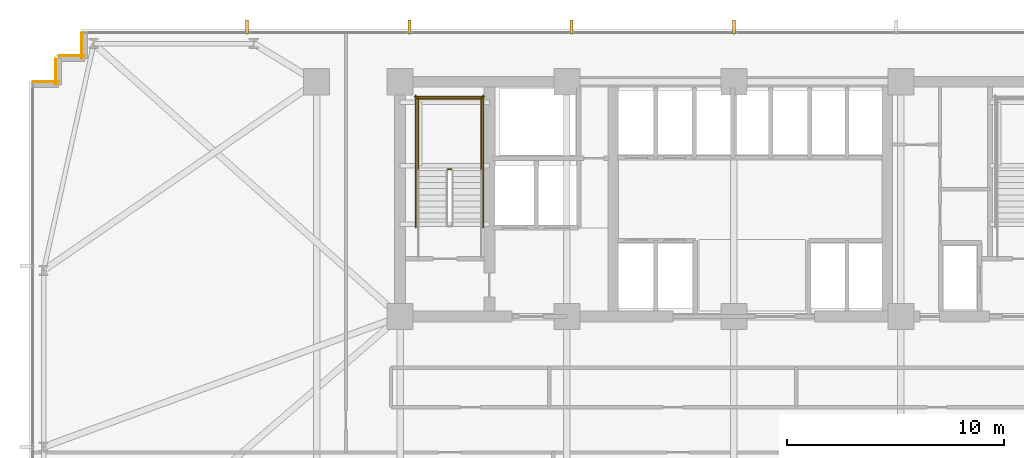
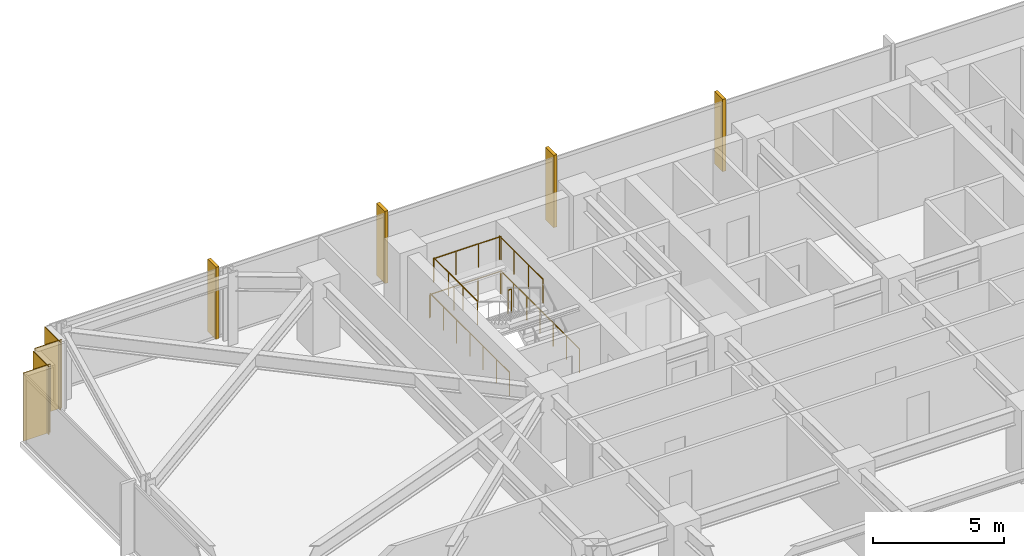
# One storey, part 31 of 33: 7 railings, 4 coverings, 4 shading devices.
"""IFC4 building model written with IfcOpenShell, lengths in metres."""

from ifc_helpers import new_model, si_unit, direction, frame, frame_2d, origin, origin_2d, place, context, subcontext, project, spatial, rectangle, circle, extrude, material, layer, layer_set, type_object, element, save


model = new_model("IFC4")

# Units and contexts
model_context = context("Model", 3, precision=1e-05, world=origin(), true_north=direction((0.0, 1.0)))
body_context = subcontext(model_context, "Body", "Model", "MODEL_VIEW")
ifc_project = project(units=[si_unit("LENGTHUNIT", "METRE"), si_unit("AREAUNIT", "SQUARE_METRE"), si_unit("VOLUMEUNIT", "CUBIC_METRE"), si_unit("PLANEANGLEUNIT", "RADIAN"), si_unit("MASSUNIT", "GRAM", prefix="KILO")], contexts=[model_context])

# Site, building, storey
site_placement = place(None, origin())
site = spatial("IfcSite", under=ifc_project, at=site_placement, CompositionType="ELEMENT")
building_placement = place(site_placement, origin())
building = spatial("IfcBuilding", under=site, at=building_placement, Name="Yelkora Congress Tower", CompositionType="ELEMENT")
storey_placement = place(building_placement, frame((0.0, 0.0, 64.39990234375)))
storey = spatial("IfcBuildingStorey", under=building, at=storey_placement, Name="L16", CompositionType="ELEMENT", Elevation=64.39990234375)

# Coverings
ifc_material_1 = material(Name="Anatolian bush-hammered limestone", Category="masonry")
ifc_layer_1 = layer(ifc_material_1, 0.0400390625)
ifc_layer_set_1 = layer_set([ifc_layer_1], Name="Anatolian bush-hammered limestone")
covering_type = type_object("IfcCoveringType", Name="COV-CLAD-SPANDREL-40", PredefinedType="CLADDING", material=ifc_layer_set_1)
covering_placement = place(storey_placement, frame((6.139892578125, 46.195068359375, 0.0), z_axis=(0.0, 0.0, 1.0), x_axis=(1.0, 0.0, 0.0)))
element("IfcCovering", 1, at=covering_placement, inside=storey, type_object=covering_type, Name="L16 Anatolian Limestone Cladding EW-L16-SR06", PredefinedType="CLADDING", context=body_context, shape_type="SweptSolid", body=[
    extrude(rectangle(XDim=1.2001953125, YDim=0.0400390625, at=frame_2d((0.60009765625, 0.0))), origin(), (0.0, 0.0, 1.0), 3.18017578125),
])
for number, where, z_axis, x_axis, name in (
    (2, (7.205078125, 46.06005859375, 0.0), (0.0, 0.0, 1.0), (0.0, 1.0, 0.0), "L16 Anatolian Limestone Cladding EW-L16-SR07"),
    (3, (7.340087890625, 47.39501953125, 0.0), (0.0, 0.0, 1.0), (1.0, 0.0, 0.0), "L16 Anatolian Limestone Cladding EW-L16-SR08"),
    (4, (8.405029296875, 47.260009765625, 0.0), (0.0, 0.0, 1.0), (0.0, 1.0, 0.0), "L16 Anatolian Limestone Cladding EW-L16-SR09"),
):
    element("IfcCovering", number, at=place(storey_placement, frame(where, z_axis=z_axis, x_axis=x_axis)), inside=storey, type_object=covering_type, Name=name, PredefinedType="CLADDING", context=body_context, shape_type="SweptSolid", body=[
        extrude(rectangle(XDim=1.199951171875, YDim=0.0400390625, at=frame_2d((0.60009765625, 0.0))), origin(), (0.0, 0.0, 1.0), 3.18017578125),
    ])

# Railings
ifc_material_2 = material(Name="Painted galvanised steel stair well guard with vertical infill", Category="steel")
ifc_layer_2 = layer(ifc_material_2, 0.06005859375)
ifc_layer_set_2 = layer_set([ifc_layer_2], Name="Painted galvanised steel stair well guard with vertical infill")
railing_type = type_object("IfcRailingType", Name="RAIL-STAIR-GUARD-1120", PredefinedType="GUARDRAIL", material=ifc_layer_set_2)
railing_1_placement = place(storey_placement, frame((25.39990234375, 42.169921875, 1.7001953125)))
element("IfcRailing", 5, at=railing_1_placement, inside=storey, type_object=railing_type, Name="ST-01 L16 Stair Well Guardrail 2", PredefinedType="GUARDRAIL", context=body_context, shape_type="SweptSolid", body=[
    extrude(circle(Radius=0.02392578125, at=origin_2d()), frame((0.0, 0.0, 1.09619140625), z_axis=(-1.0, 0.0, 0.0), x_axis=(0.0, -1.0, 0.0)), (0.0, 0.0, 1.0), 0.159912109375),
    extrude(circle(Radius=0.02099609375, at=origin_2d()), origin(), (0.0, 0.0, 1.0), 1.072021484375),
    extrude(circle(Radius=0.02099609375, at=origin_2d()), frame((-0.159912109375, 0.0, 0.0)), (0.0, 0.0, 1.0), 1.072021484375),
])
for number, where, name in (
    (6, (26.77001953125, 42.1201171875, 1.7001953125), "ST-01 L16 Stair Well Guardrail 3"),
    (7, (23.8701171875, 42.1201171875, 1.7001953125), "ST-01 L16 Stair Well Guardrail 4"),
):
    element("IfcRailing", number, at=place(storey_placement, frame(where)), inside=storey, type_object=railing_type, Name=name, PredefinedType="GUARDRAIL", context=body_context, shape_type="SweptSolid", body=[
        extrude(circle(Radius=0.02392578125, at=origin_2d()), frame((0.0, 0.0, 1.09619140625), z_axis=(0.0, 1.0, 0.0), x_axis=(-1.0, 0.0, 0.0)), (0.0, 0.0, 1.0), 3.349853515625),
        extrude(circle(Radius=0.02099609375, at=origin_2d()), origin(), (0.0, 0.0, 1.0), 1.072021484375),
        extrude(circle(Radius=0.02099609375, at=origin_2d()), frame((0.0, 1.11669921875, 0.0)), (0.0, 0.0, 1.0), 1.072021484375),
        extrude(circle(Radius=0.02099609375, at=origin_2d()), frame((0.0, 2.233154296875, 0.0)), (0.0, 0.0, 1.0), 1.072021484375),
        extrude(circle(Radius=0.02099609375, at=origin_2d()), frame((0.0, 3.349853515625, 0.0)), (0.0, 0.0, 1.0), 1.072021484375),
    ])
railing_2_placement = place(storey_placement, frame((26.820068359375, 45.419921875, 1.7001953125)))
element("IfcRailing", 8, at=railing_2_placement, inside=storey, type_object=railing_type, Name="ST-01 L16 Stair Well Guardrail 5", PredefinedType="GUARDRAIL", context=body_context, shape_type="SweptSolid", body=[
    extrude(circle(Radius=0.02392578125, at=origin_2d()), frame((0.0, 0.0, 1.09619140625), z_axis=(-1.0, 0.0, 0.0), x_axis=(0.0, -1.0, 0.0)), (0.0, 0.0, 1.0), 3.0),
    extrude(circle(Radius=0.02099609375, at=origin_2d()), origin(), (0.0, 0.0, 1.0), 1.072021484375),
    extrude(circle(Radius=0.02099609375, at=origin_2d()), frame((-1.0, 0.0, 0.0)), (0.0, 0.0, 1.0), 1.072021484375),
    extrude(circle(Radius=0.02099609375, at=origin_2d()), frame((-2.0, 0.0, 0.0)), (0.0, 0.0, 1.0), 1.072021484375),
    extrude(circle(Radius=0.02099609375, at=origin_2d()), frame((-3.0, 0.0, 0.0)), (0.0, 0.0, 1.0), 1.072021484375),
])
for number, where, name in (
    (9, (26.8701171875, 39.5, 0.0), "ST-01 L16 Stair Well Guardrail 10"),
    (10, (23.77001953125, 39.5, 0.0), "ST-01 L16 Stair Well Guardrail 11"),
):
    element("IfcRailing", number, at=place(storey_placement, frame(where)), inside=storey, type_object=railing_type, Name=name, PredefinedType="GUARDRAIL", context=body_context, shape_type="SweptSolid", body=[
        extrude(circle(Radius=0.02392578125, at=origin_2d()), frame((0.0, 0.0, 1.09619140625), z_axis=(0.0, 1.0, 0.0), x_axis=(-1.0, 0.0, 0.0)), (0.0, 0.0, 1.0), 6.070068359375),
        extrude(circle(Radius=0.02099609375, at=origin_2d()), origin(), (0.0, 0.0, 1.0), 1.072021484375),
        extrude(circle(Radius=0.02099609375, at=origin_2d()), frame((0.0, 1.01171875, 0.0)), (0.0, 0.0, 1.0), 1.072021484375),
        extrude(circle(Radius=0.02099609375, at=origin_2d()), frame((0.0, 2.0234375, 0.0)), (0.0, 0.0, 1.0), 1.072021484375),
        extrude(circle(Radius=0.02099609375, at=origin_2d()), frame((0.0, 3.03515625, 0.0)), (0.0, 0.0, 1.0), 1.072021484375),
        extrude(circle(Radius=0.02099609375, at=origin_2d()), frame((0.0, 4.046630859375, 0.0)), (0.0, 0.0, 1.0), 1.072021484375),
        extrude(circle(Radius=0.02099609375, at=origin_2d()), frame((0.0, 5.058349609375, 0.0)), (0.0, 0.0, 1.0), 1.072021484375),
        extrude(circle(Radius=0.02099609375, at=origin_2d()), frame((0.0, 6.070068359375, 0.0)), (0.0, 0.0, 1.0), 1.072021484375),
    ])
railing_3_placement = place(storey_placement, frame((26.919921875, 45.52001953125, 0.0)))
element("IfcRailing", 11, at=railing_3_placement, inside=storey, type_object=railing_type, Name="ST-01 L16 Stair Well Guardrail 12", PredefinedType="GUARDRAIL", context=body_context, shape_type="SweptSolid", body=[
    extrude(circle(Radius=0.02392578125, at=origin_2d()), frame((0.0, 0.0, 1.09619140625), z_axis=(-1.0, 0.0, 0.0), x_axis=(0.0, -1.0, 0.0)), (0.0, 0.0, 1.0), 3.199951171875),
    extrude(circle(Radius=0.02099609375, at=origin_2d()), origin(), (0.0, 0.0, 1.0), 1.072021484375),
    extrude(circle(Radius=0.02099609375, at=origin_2d()), frame((-1.066650390625, 0.0, 0.0)), (0.0, 0.0, 1.0), 1.072021484375),
    extrude(circle(Radius=0.02099609375, at=origin_2d()), frame((-2.13330078125, 0.0, 0.0)), (0.0, 0.0, 1.0), 1.072021484375),
    extrude(circle(Radius=0.02099609375, at=origin_2d()), frame((-3.199951171875, 0.0, 0.0)), (0.0, 0.0, 1.0), 1.072021484375),
])

# Shading devices
ifc_material_3 = material(Name="Champagne anodised aluminium", Category="aluminium")
ifc_layer_3 = layer(ifc_material_3, 3.39990234375)
ifc_layer_set_3 = layer_set([ifc_layer_3], Name="Champagne anodised aluminium")
shading_device_type = type_object("IfcShadingDeviceType", Name="SHD-FIN-ALU-640", PredefinedType="USERDEFINED", material=ifc_layer_set_3)
for number, where, z_axis, x_axis, name in (
    (12, (16.0048828125, 48.719970703125, -0.02978515625), (0.0, 0.0, 1.0), (1.0, 0.0, 0.0), "L16 Vertical Anodised Solar Fin 10-1"),
    (13, (23.469970703125, 48.719970703125, -0.02978515625), (0.0, 0.0, 1.0), (1.0, 0.0, 0.0), "L16 Vertical Anodised Solar Fin 10-2"),
    (14, (30.93505859375, 48.719970703125, -0.02978515625), (0.0, 0.0, 1.0), (1.0, 0.0, 0.0), "L16 Vertical Anodised Solar Fin 10-3"),
    (15, (38.39990234375, 48.719970703125, -0.02978515625), (0.0, 0.0, 1.0), (1.0, 0.0, 0.0), "L16 Vertical Anodised Solar Fin 10-4"),
):
    element("IfcShadingDevice", number, at=place(storey_placement, frame(where, z_axis=z_axis, x_axis=x_axis)), inside=storey, type_object=shading_device_type, Name=name, ObjectType="FIN", PredefinedType="USERDEFINED", context=body_context, shape_type="SweptSolid", body=[
        extrude(rectangle(XDim=0.139892578125, YDim=0.639892578125, at=origin_2d()), origin(), (0.0, 0.0, 1.0), 3.3798828125),
    ])

save(model, "model.ifc")
